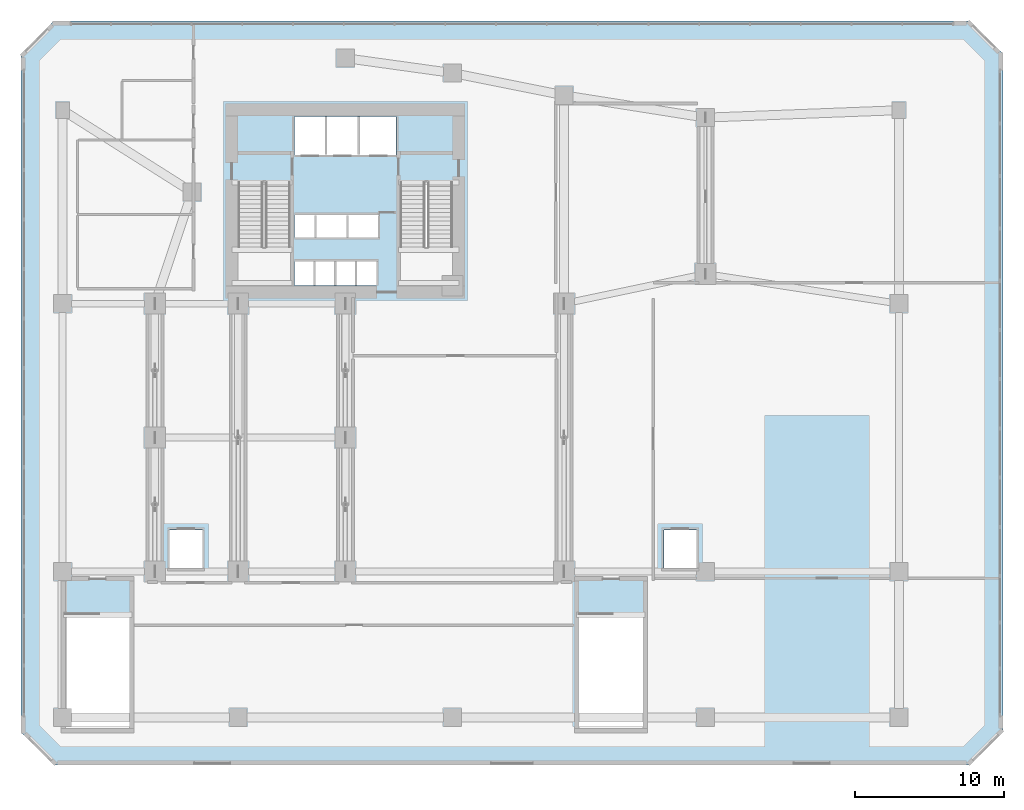
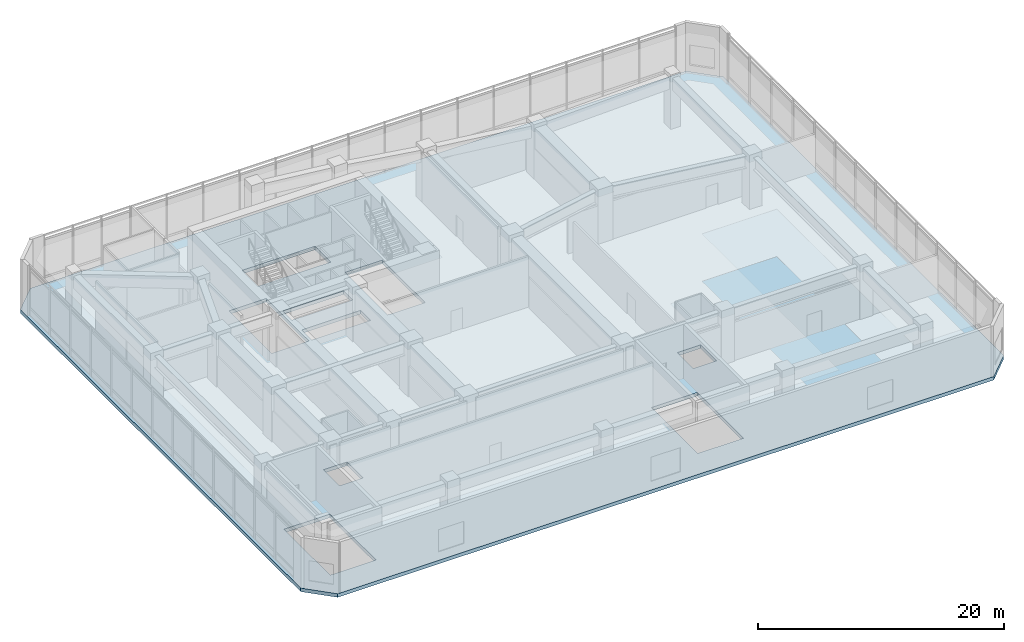
# One storey, part 12 of 21: 1 slab.
"""IFC4 building model written with IfcOpenShell, lengths in metres."""

from ifc_helpers import new_model, si_unit, direction, frame, origin, place, context, subcontext, project, spatial, polyline, outline, extrude, material, layer, layer_set, type_object, element, save


model = new_model("IFC4")

# Units and contexts
model_context = context("Model", 3, precision=1e-05, world=origin(), true_north=direction((0.0, 1.0)))
body_context = subcontext(model_context, "Body", "Model", "MODEL_VIEW")
ifc_project = project(units=[si_unit("LENGTHUNIT", "METRE"), si_unit("AREAUNIT", "SQUARE_METRE"), si_unit("VOLUMEUNIT", "CUBIC_METRE"), si_unit("PLANEANGLEUNIT", "RADIAN"), si_unit("MASSUNIT", "GRAM", prefix="KILO")], contexts=[model_context])

# Site, building, storey
site_placement = place(None, origin())
site = spatial("IfcSite", under=ifc_project, at=site_placement, CompositionType="ELEMENT")
building_placement = place(site_placement, origin())
building = spatial("IfcBuilding", under=site, at=building_placement, Name="Calvemar Wedge Station Tower", CompositionType="ELEMENT")
storey_placement = place(building_placement, frame((0.0, 0.0, 21.60009765625)))
storey = spatial("IfcBuildingStorey", under=building, at=storey_placement, Name="L05", CompositionType="ELEMENT", Elevation=21.60009765625)

# Slab
ifc_material = material(Name="Concrete C60", Category="concrete")
ifc_layer = layer(ifc_material, 0.35009765625)
ifc_layer_set = layer_set([ifc_layer], Name="Concrete C60")
slab_type = type_object("IfcSlabType", Name="SL-TRF-350", PredefinedType="FLOOR", material=ifc_layer_set)
slab_placement = place(storey_placement, frame((0.0, 0.0, -0.35009765625)))
element("IfcSlab", 1, at=slab_placement, inside=storey, type_object=slab_type, Name="Storey L05 Structural Floor Slab", PredefinedType="FLOOR", context=body_context, shape_type="SweptSolid", body=[
    extrude(outline(polyline([(4.199951171875, 2.0), (65.800048828125, 2.0), (68.0, 4.199951171875), (68.0, 49.800048828125), (65.800048828125, 52.0), (4.199951171875, 52.0), (2.0, 49.800048828125), (2.0, 4.199951171875), (4.199951171875, 2.0)]), holes=[polyline([(5.0, 4.60009765625), (9.300048828125, 4.60009765625), (9.300048828125, 12.10009765625), (5.0, 12.10009765625), (5.0, 4.60009765625)]), polyline([(12.0, 15.199951171875), (14.199951171875, 15.199951171875), (14.199951171875, 17.800048828125), (12.0, 17.800048828125), (12.0, 15.199951171875)]), polyline([(21.72998046875, 34.219970703125), (21.739990234375, 34.219970703125), (23.1201171875, 34.219970703125), (23.1298828125, 34.219970703125), (24.510009765625, 34.219970703125), (24.52001953125, 34.219970703125), (25.909912109375, 34.219970703125), (25.909912109375, 35.85009765625), (24.52001953125, 35.85009765625), (24.510009765625, 35.85009765625), (23.1298828125, 35.85009765625), (23.1201171875, 35.85009765625), (21.739990234375, 35.85009765625), (21.72998046875, 35.85009765625), (20.3798828125, 35.85009765625), (20.3798828125, 34.219970703125), (21.72998046875, 34.219970703125)]), polyline([(16.60009765625, 41.14990234375), (16.60009765625, 34.199951171875), (20.10009765625, 34.199951171875), (20.10009765625, 41.14990234375), (16.60009765625, 41.14990234375)]), polyline([(23.93994140625, 37.449951171875), (26.080078125, 37.449951171875), (26.080078125, 38.949951171875), (23.93994140625, 38.949951171875), (23.929931640625, 38.949951171875), (21.800048828125, 38.949951171875), (21.7900390625, 38.949951171875), (20.3798828125, 38.949951171875), (20.3798828125, 37.449951171875), (21.7900390625, 37.449951171875), (21.800048828125, 37.449951171875), (23.929931640625, 37.449951171875), (23.93994140625, 37.449951171875)]), polyline([(39.5, 4.60009765625), (43.800048828125, 4.60009765625), (43.800048828125, 12.10009765625), (39.5, 12.10009765625), (39.5, 4.60009765625)]), polyline([(45.199951171875, 15.199951171875), (47.39990234375, 15.199951171875), (47.39990234375, 17.800048828125), (45.199951171875, 17.800048828125), (45.199951171875, 15.199951171875)]), polyline([(27.5, 41.14990234375), (27.5, 34.199951171875), (31.0, 34.199951171875), (31.0, 41.14990234375), (27.5, 41.14990234375)]), polyline([(20.3798828125, 43.0), (27.219970703125, 43.0), (27.219970703125, 45.580078125), (20.3798828125, 45.580078125), (20.3798828125, 43.0)])]), origin(), (0.0, 0.0, 1.0), 0.35009765625),
])

save(model, "model.ifc")
